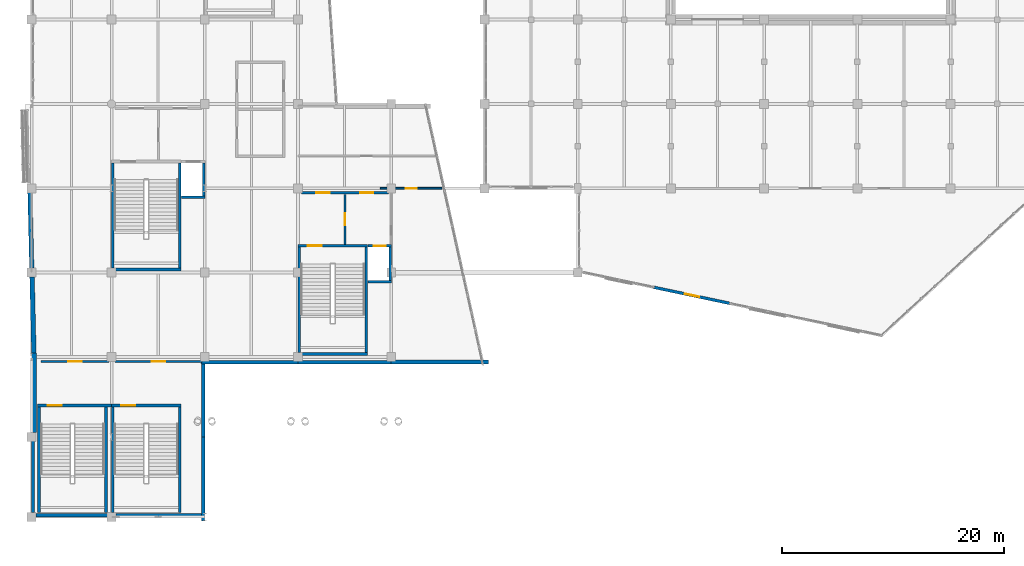
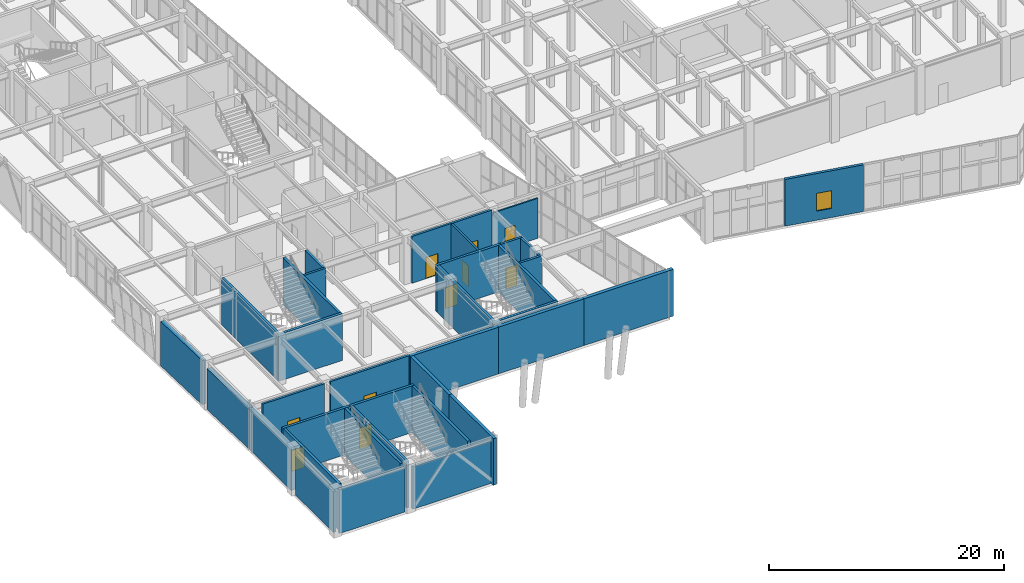
# One storey, part 110 of 128: 35 walls, 10 doors, 1 window, 11 openings.
"""IFC4 building model written with IfcOpenShell, lengths in metres."""

from ifc_helpers import new_model, si_unit, direction, frame, frame_2d, origin, place, context, subcontext, project, spatial, rectangle, extrude, material, layer, layer_set, type_object, element, fill, save


model = new_model("IFC4")

# Units and contexts
model_context = context("Model", 3, precision=1e-05, world=origin(), true_north=direction((0.0, 1.0)))
body_context = subcontext(model_context, "Body", "Model", "MODEL_VIEW")
ifc_project = project(units=[si_unit("LENGTHUNIT", "METRE"), si_unit("AREAUNIT", "SQUARE_METRE"), si_unit("VOLUMEUNIT", "CUBIC_METRE"), si_unit("PLANEANGLEUNIT", "RADIAN"), si_unit("MASSUNIT", "GRAM", prefix="KILO")], contexts=[model_context])

# Site, building, storey
site_placement = place(None, origin())
site = spatial("IfcSite", under=ifc_project, at=site_placement, CompositionType="ELEMENT")
building_placement = place(site_placement, origin())
building = spatial("IfcBuilding", under=site, at=building_placement, Name="Xicomal Pleat Aquarium", CompositionType="ELEMENT")
storey_placement = place(building_placement, frame((0.0, 0.0, 5.39990234375)))
storey = spatial("IfcBuildingStorey", under=building, at=storey_placement, Name="L02", CompositionType="ELEMENT", Elevation=5.39990234375)

# Walls
ifc_material_1 = material(Name="Concrete C40/50", Category="concrete")
ifc_layer_1 = layer(ifc_material_1, 0.219970703125)
ifc_layer_set_1 = layer_set([ifc_layer_1], Name="Concrete C40/50")
wall_type_1 = type_object("IfcWallType", Name="WAL-COR-220", PredefinedType="SHEAR", material=ifc_layer_set_1)
wall_1_placement = place(storey_placement, frame((16.5, 29.590087890625, 0.0), z_axis=(0.0, 0.0, 1.0), x_axis=(1.0, 0.0, 0.0)))
element("IfcWall", 1, at=wall_1_placement, inside=storey, type_object=wall_type_1, Name="L02 LF-01 lift shaft wall CW-L02-C1-LS", PredefinedType="SHEAR", context=body_context, shape_type="SweptSolid", body=[
    extrude(rectangle(XDim=2.1201171875, YDim=0.219970703125, at=frame_2d((1.06005859375, 0.0))), origin(), (0.0, 0.0, 1.0), 4.860107421875),
])
wall_2_placement = place(storey_placement, frame((18.510009765625, 29.699951171875, 0.0), z_axis=(0.0, 0.0, 1.0), x_axis=(0.0, 1.0, 0.0)))
element("IfcWall", 2, at=wall_2_placement, inside=storey, type_object=wall_type_1, Name="L02 LF-01 lift shaft wall CW-L02-C1-LE", PredefinedType="SHEAR", context=body_context, shape_type="SweptSolid", body=[
    extrude(rectangle(XDim=3.0, YDim=0.219970703125, at=frame_2d((1.5, 0.0))), origin(), (0.0, 0.0, 1.0), 4.860107421875),
])
wall_3_placement = place(storey_placement, frame((33.300048828125, 21.989990234375, 0.0), z_axis=(0.0, 0.0, 1.0), x_axis=(1.0, 0.0, 0.0)))
element("IfcWall", 3, at=wall_3_placement, inside=storey, type_object=wall_type_1, Name="L02 LF-02 lift shaft wall CW-L02-C2-LS", PredefinedType="SHEAR", context=body_context, shape_type="SweptSolid", body=[
    extrude(rectangle(XDim=2.119873046875, YDim=0.219970703125, at=frame_2d((1.06005859375, 0.0))), origin(), (0.0, 0.0, 1.0), 4.860107421875),
])

# Wall, opening, door
wall_4_placement = place(storey_placement, frame((33.300048828125, 25.2099609375, 0.0), z_axis=(0.0, 0.0, 1.0), x_axis=(1.0, 0.0, 0.0)))
wall_4 = element("IfcWall", 4, at=wall_4_placement, inside=storey, type_object=wall_type_1, Name="L02 LF-02 lift shaft wall CW-L02-C2-LN", PredefinedType="SHEAR", context=body_context, shape_type="SweptSolid", body=[
    extrude(rectangle(XDim=2.119873046875, YDim=0.219970703125, at=frame_2d((1.06005859375, 0.0))), origin(), (0.0, 0.0, 1.0), 4.860107421875),
])
opening_1_placement = place(wall_4_placement, frame((0.510009765625, 0.0, 0.0)))
opening_1 = element("IfcOpeningElement", 5, at=opening_1_placement, cuts=wall_4, Name="Opening LD-02-L02", PredefinedType="OPENING", context=body_context, shape_type="SweptSolid", body=[
    extrude(rectangle(XDim=1.10009765625, YDim=2.14990234375, at=frame_2d((0.550048828125, 1.074951171875))), frame((0.0, 0.119873046875, 0.0), z_axis=(0.0, -1.0, 0.0), x_axis=(1.0, 0.0, 0.0)), (0.0, 0.0, 1.0), 0.239990234375),
])
ifc_material_2 = material(Name="Brushed stainless steel 304", Category="steel")
door_type_1 = type_object("IfcDoorType", Name="DOR-LD-1100x2150", OperationType="DOUBLE_DOOR_SLIDING", PredefinedType="DOOR", material=ifc_material_2)
door_1_placement = place(opening_1_placement, origin())
door_1 = element("IfcDoor", 6, at=door_1_placement, inside=storey, type_object=door_type_1, Name="L02 LF-02 sliding lift landing door", OperationType="DOUBLE_DOOR_SLIDING", OverallHeight=2.14990234375, OverallWidth=1.10009765625, PredefinedType="DOOR", context=body_context, shape_type="SweptSolid", body=[
    extrude(rectangle(XDim=1.10009765625, YDim=2.14990234375, at=frame_2d((0.550048828125, 1.074951171875))), frame((0.0, 0.02490234375, 0.0), z_axis=(0.0, -1.0, 0.0), x_axis=(1.0, 0.0, 0.0)), (0.0, 0.0, 1.0), 0.050048828125),
])
fill(opening_1, door_1)

# Walls
wall_5_placement = place(storey_placement, frame((35.31005859375, 22.10009765625, 0.0), z_axis=(0.0, 0.0, 1.0), x_axis=(0.0, 1.0, 0.0)))
element("IfcWall", 7, at=wall_5_placement, inside=storey, type_object=wall_type_1, Name="L02 LF-02 lift shaft wall CW-L02-C2-LE", PredefinedType="SHEAR", context=body_context, shape_type="SweptSolid", body=[
    extrude(rectangle(XDim=3.0, YDim=0.219970703125, at=frame_2d((1.5, 0.0))), origin(), (0.0, 0.0, 1.0), 4.860107421875),
])
ifc_material_3 = material(Name="Concrete C40/50", Category="concrete")
ifc_layer_2 = layer(ifc_material_3, 0.25)
ifc_layer_set_2 = layer_set([ifc_layer_2], Name="Concrete C40/50")
wall_type_2 = type_object("IfcWallType", Name="WAL-COR-250", PredefinedType="SHEAR", material=ifc_layer_set_2)
wall_6_placement = place(storey_placement, frame((10.18994140625, 23.074951171875, 0.0), z_axis=(0.0, 0.0, 1.0), x_axis=(1.0, 0.0, 0.0)))
element("IfcWall", 8, at=wall_6_placement, inside=storey, type_object=wall_type_2, Name="L02 CORE-1 stair shear wall CW-L02-C1-SS", PredefinedType="SHEAR", context=body_context, shape_type="SweptSolid", body=[
    extrude(rectangle(XDim=6.280029296875, YDim=0.25, at=frame_2d((3.14013671875, 0.0))), origin(), (0.0, 0.0, 1.0), 4.860107421875),
])
for number, where, z_axis, x_axis, name in (
    (9, (10.31494140625, 23.199951171875, 0.0), (0.0, 0.0, 1.0), (0.0, 1.0, 0.0), "L02 CORE-1 stair shear wall CW-L02-C1-SW"),
    (10, (16.344970703125, 23.199951171875, 0.0), (0.0, 0.0, 1.0), (0.0, 1.0, 0.0), "L02 CORE-1 stair shear wall CW-L02-C1-SE"),
):
    element("IfcWall", number, at=place(storey_placement, frame(where, z_axis=z_axis, x_axis=x_axis)), inside=storey, type_object=wall_type_2, Name=name, PredefinedType="SHEAR", context=body_context, shape_type="SweptSolid", body=[
        extrude(rectangle(XDim=9.5, YDim=0.25, at=frame_2d((4.75, 0.0))), origin(), (0.0, 0.0, 1.0), 4.860107421875),
    ])
wall_7_placement = place(storey_placement, frame((26.989990234375, 15.47509765625, 0.0), z_axis=(0.0, 0.0, 1.0), x_axis=(1.0, 0.0, 0.0)))
element("IfcWall", 11, at=wall_7_placement, inside=storey, type_object=wall_type_2, Name="L02 CORE-2 stair shear wall CW-L02-C2-SS", PredefinedType="SHEAR", context=body_context, shape_type="SweptSolid", body=[
    extrude(rectangle(XDim=6.280029296875, YDim=0.25, at=frame_2d((3.14013671875, 0.0))), origin(), (0.0, 0.0, 1.0), 4.860107421875),
])

# Wall, opening, door
wall_8_placement = place(storey_placement, frame((26.989990234375, 25.22509765625, 0.0), z_axis=(0.0, 0.0, 1.0), x_axis=(1.0, 0.0, 0.0)))
wall_8 = element("IfcWall", 12, at=wall_8_placement, inside=storey, type_object=wall_type_2, Name="L02 CORE-2 stair shear wall CW-L02-C2-SN", PredefinedType="SHEAR", context=body_context, shape_type="SweptSolid", body=[
    extrude(rectangle(XDim=6.280029296875, YDim=0.25, at=frame_2d((3.14013671875, 0.0))), origin(), (0.0, 0.0, 1.0), 4.860107421875),
])
opening_2_placement = place(wall_8_placement, frame((0.89990234375, 0.0, 0.0)))
opening_2 = element("IfcOpeningElement", 13, at=opening_2_placement, cuts=wall_8, Name="Opening SD-02-L02", PredefinedType="OPENING", context=body_context, shape_type="SweptSolid", body=[
    extrude(rectangle(XDim=1.25, YDim=2.199951171875, at=frame_2d((0.625, 1.10009765625))), frame((0.0, 0.135009765625, 0.0), z_axis=(0.0, -1.0, 0.0), x_axis=(1.0, 0.0, 0.0)), (0.0, 0.0, 1.0), 0.27001953125),
])
ifc_material_4 = material(Name="Powder-coated steel fire door", Category="steel")
door_type_2 = type_object("IfcDoorType", Name="DOR-ST-1250x2200", OperationType="NOTDEFINED", PredefinedType="DOOR", material=ifc_material_4)
door_2_placement = place(opening_2_placement, origin())
door_2 = element("IfcDoor", 14, at=door_2_placement, inside=storey, type_object=door_type_2, Name="L02 ST-02 protected stair door", OperationType="SINGLE_SWING_LEFT", OverallHeight=2.199951171875, OverallWidth=1.25, PredefinedType="DOOR", context=body_context, shape_type="SweptSolid", body=[
    extrude(rectangle(XDim=1.25, YDim=2.199951171875, at=frame_2d((0.625, 1.10009765625))), frame((0.0, 0.02490234375, 0.0), z_axis=(0.0, -1.0, 0.0), x_axis=(1.0, 0.0, 0.0)), (0.0, 0.0, 1.0), 0.050048828125),
])
fill(opening_2, door_2)

# Walls
for number, where, z_axis, x_axis, name in (
    (15, (27.114990234375, 15.60009765625, 0.0), (0.0, 0.0, 1.0), (0.0, 1.0, 0.0), "L02 CORE-2 stair shear wall CW-L02-C2-SW"),
    (16, (33.14501953125, 15.60009765625, 0.0), (0.0, 0.0, 1.0), (0.0, 1.0, 0.0), "L02 CORE-2 stair shear wall CW-L02-C2-SE"),
):
    element("IfcWall", number, at=place(storey_placement, frame(where, z_axis=z_axis, x_axis=x_axis)), inside=storey, type_object=wall_type_2, Name=name, PredefinedType="SHEAR", context=body_context, shape_type="SweptSolid", body=[
        extrude(rectangle(XDim=9.5, YDim=0.25, at=frame_2d((4.75, 0.0))), origin(), (0.0, 0.0, 1.0), 4.860107421875),
    ])

# Wall, opening, door
wall_9_placement = place(storey_placement, frame((10.18994140625, 10.824951171875, 0.0), z_axis=(0.0, 0.0, 1.0), x_axis=(1.0, 0.0, 0.0)))
wall_9 = element("IfcWall", 17, at=wall_9_placement, inside=storey, type_object=wall_type_2, Name="L02 CORE-9 stair shear wall CW-L02-C9-SN", PredefinedType="SHEAR", context=body_context, shape_type="SweptSolid", body=[
    extrude(rectangle(XDim=6.280029296875, YDim=0.25, at=frame_2d((3.14013671875, 0.0))), origin(), (0.0, 0.0, 1.0), 4.860107421875),
])
opening_3_placement = place(wall_9_placement, frame((0.89990234375, 0.0, 0.0)))
opening_3 = element("IfcOpeningElement", 18, at=opening_3_placement, cuts=wall_9, Name="Opening SD-09-L02", PredefinedType="OPENING", context=body_context, shape_type="SweptSolid", body=[
    extrude(rectangle(XDim=1.25, YDim=2.199951171875, at=frame_2d((0.625, 1.10009765625))), frame((0.0, 0.135009765625, 0.0), z_axis=(0.0, -1.0, 0.0), x_axis=(1.0, 0.0, 0.0)), (0.0, 0.0, 1.0), 0.27001953125),
])
door_3_placement = place(opening_3_placement, origin())
door_3 = element("IfcDoor", 19, at=door_3_placement, inside=storey, type_object=door_type_2, Name="L02 ST-09 protected stair door", OperationType="SINGLE_SWING_LEFT", OverallHeight=2.199951171875, OverallWidth=1.25, PredefinedType="DOOR", context=body_context, shape_type="SweptSolid", body=[
    extrude(rectangle(XDim=1.25, YDim=2.199951171875, at=frame_2d((0.625, 1.10009765625))), frame((0.0, 0.02490234375, 0.0), z_axis=(0.0, -1.0, 0.0), x_axis=(1.0, 0.0, 0.0)), (0.0, 0.0, 1.0), 0.050048828125),
])
fill(opening_3, door_3)

# Walls
for number, where, z_axis, x_axis, name in (
    (20, (10.31494140625, 1.199951171875, 0.0), (0.0, 0.0, 1.0), (0.0, 1.0, 0.0), "L02 CORE-9 stair shear wall CW-L02-C9-SW"),
    (21, (16.344970703125, 1.199951171875, 0.0), (0.0, 0.0, 1.0), (0.0, 1.0, 0.0), "L02 CORE-9 stair shear wall CW-L02-C9-SE"),
):
    element("IfcWall", number, at=place(storey_placement, frame(where, z_axis=z_axis, x_axis=x_axis)), inside=storey, type_object=wall_type_2, Name=name, PredefinedType="SHEAR", context=body_context, shape_type="SweptSolid", body=[
        extrude(rectangle(XDim=9.5, YDim=0.25, at=frame_2d((4.75, 0.0))), origin(), (0.0, 0.0, 1.0), 4.860107421875),
    ])

# Wall, opening, door
wall_10_placement = place(storey_placement, frame((3.550048828125, 10.824951171875, 0.0), z_axis=(0.0, 0.0, 1.0), x_axis=(1.0, 0.0, 0.0)))
wall_10 = element("IfcWall", 22, at=wall_10_placement, inside=storey, type_object=wall_type_2, Name="L02 CORE-10 stair shear wall CW-L02-C10-SN", PredefinedType="SHEAR", context=body_context, shape_type="SweptSolid", body=[
    extrude(rectangle(XDim=6.639892578125, YDim=0.25, at=frame_2d((3.31982421875, 0.0))), origin(), (0.0, 0.0, 1.0), 4.860107421875),
])
opening_4_placement = place(wall_10_placement, frame((0.89990234375, 0.0, 0.0)))
opening_4 = element("IfcOpeningElement", 23, at=opening_4_placement, cuts=wall_10, Name="Opening SD-10-L02", PredefinedType="OPENING", context=body_context, shape_type="SweptSolid", body=[
    extrude(rectangle(XDim=1.25, YDim=2.199951171875, at=frame_2d((0.625, 1.10009765625))), frame((0.0, 0.135009765625, 0.0), z_axis=(0.0, -1.0, 0.0), x_axis=(1.0, 0.0, 0.0)), (0.0, 0.0, 1.0), 0.27001953125),
])
door_4_placement = place(opening_4_placement, origin())
door_4 = element("IfcDoor", 24, at=door_4_placement, inside=storey, type_object=door_type_2, Name="L02 ST-10 protected stair door", OperationType="SINGLE_SWING_LEFT", OverallHeight=2.199951171875, OverallWidth=1.25, PredefinedType="DOOR", context=body_context, shape_type="SweptSolid", body=[
    extrude(rectangle(XDim=1.25, YDim=2.199951171875, at=frame_2d((0.625, 1.10009765625))), frame((0.0, 0.02490234375, 0.0), z_axis=(0.0, -1.0, 0.0), x_axis=(1.0, 0.0, 0.0)), (0.0, 0.0, 1.0), 0.050048828125),
])
fill(opening_4, door_4)

# Walls
for number, where, z_axis, x_axis, name in (
    (25, (3.675048828125, 1.199951171875, 0.0), (0.0, 0.0, 1.0), (0.0, 1.0, 0.0), "L02 CORE-10 stair shear wall CW-L02-C10-SW"),
    (26, (9.705078125, 1.199951171875, 0.0), (0.0, 0.0, 1.0), (0.0, 1.0, 0.0), "L02 CORE-10 stair shear wall CW-L02-C10-SE"),
):
    element("IfcWall", number, at=place(storey_placement, frame(where, z_axis=z_axis, x_axis=x_axis)), inside=storey, type_object=wall_type_2, Name=name, PredefinedType="SHEAR", context=body_context, shape_type="SweptSolid", body=[
        extrude(rectangle(XDim=9.5, YDim=0.25, at=frame_2d((4.75, 0.0))), origin(), (0.0, 0.0, 1.0), 4.860107421875),
    ])
ifc_material_5 = material(Name="Volcanic basalt recinto masonry and concrete C40/50", Category="masonry")
ifc_layer_3 = layer(ifc_material_5, 0.35009765625)
ifc_layer_set_3 = layer_set([ifc_layer_3], Name="Volcanic basalt recinto masonry and concrete C40/50")
wall_type_3 = type_object("IfcWallType", Name="WAL-EXT-BAS-350", PredefinedType="SOLIDWALL", material=ifc_layer_set_3)
wall_11_placement = place(storey_placement, frame((44.159912109375, 14.735107421875, 0.0), z_axis=(0.0, 0.0, 1.0), x_axis=(-1.0, 0.0, 0.0)))
element("IfcWall", 27, at=wall_11_placement, inside=storey, type_object=wall_type_3, Name="L02 exterior basalt-precast wall EW-L02-094", PredefinedType="SOLIDWALL", context=body_context, shape_type="SweptSolid", body=[
    extrude(rectangle(XDim=8.780029296875, YDim=0.35009765625, at=frame_2d((4.39013671875, 0.0))), origin(), (0.0, 0.0, 1.0), 4.860107421875),
])
ifc_material_6 = material(Name="Volcanic basalt recinto masonry and concrete C40/50", Category="masonry")
ifc_layer_4 = layer(ifc_material_6, 0.39990234375)
ifc_layer_set_4 = layer_set([ifc_layer_4], Name="Volcanic basalt recinto masonry and concrete C40/50")
wall_type_4 = type_object("IfcWallType", Name="WAL-EXT-BAS-400", PredefinedType="SOLIDWALL", material=ifc_layer_set_4)
wall_12_placement = place(storey_placement, frame((3.010986328125, 23.198974609375, 0.0), z_axis=(0.0, 0.0, 1.0), x_axis=(-0.023758436232, 0.999717728515, 0.0)))
element("IfcWall", 28, at=wall_12_placement, inside=storey, type_object=wall_type_4, Name="L02 exterior basalt-precast wall EW-L02-104", PredefinedType="SOLIDWALL", context=body_context, shape_type="SweptSolid", body=[
    extrude(rectangle(XDim=6.81298828125, YDim=0.39990234375, at=frame_2d((3.406494140625, 0.0))), origin(), (0.0, 0.0, 1.0), 4.60498046875),
])
ifc_material_7 = material(Name="Volcanic basalt recinto masonry and concrete C40/50", Category="masonry")
ifc_layer_5 = layer(ifc_material_7, 0.419921875)
ifc_layer_set_5 = layer_set([ifc_layer_5], Name="Volcanic basalt recinto masonry and concrete C40/50")
wall_type_5 = type_object("IfcWallType", Name="WAL-EXT-BAS-420", PredefinedType="SOLIDWALL", material=ifc_layer_set_5)
wall_13_placement = place(storey_placement, frame((3.200927734375, 15.56005859375, 0.0), z_axis=(0.0, 0.0, 1.0), x_axis=(-0.023620506075, 0.999720996925, 0.0)))
element("IfcWall", 29, at=wall_13_placement, inside=storey, type_object=wall_type_5, Name="L02 exterior basalt-precast wall EW-L02-103", PredefinedType="SOLIDWALL", context=body_context, shape_type="SweptSolid", body=[
    extrude(rectangle(XDim=6.852783203125, YDim=0.419921875, at=frame_2d((3.42626953125, 0.0))), origin(), (0.0, 0.0, 1.0), 4.238037109375),
])
ifc_material_8 = material(Name="Volcanic basalt recinto masonry and concrete C40/50", Category="masonry")
ifc_layer_6 = layer(ifc_material_8, 0.445068359375)
ifc_layer_set_6 = layer_set([ifc_layer_6], Name="Volcanic basalt recinto masonry and concrete C40/50")
wall_type_6 = type_object("IfcWallType", Name="WAL-EXT-BAS-445", PredefinedType="SOLIDWALL", material=ifc_layer_set_6)
wall_14_placement = place(storey_placement, frame((3.222900390625, 8.385009765625, 0.0), z_axis=(0.0, 0.0, 1.0), x_axis=(0.0, 1.0, 0.0)))
element("IfcWall", 30, at=wall_14_placement, inside=storey, type_object=wall_type_6, Name="L02 exterior basalt-precast wall EW-L02-102", PredefinedType="SOLIDWALL", context=body_context, shape_type="SweptSolid", body=[
    extrude(rectangle(XDim=7.175048828125, YDim=0.445068359375, at=frame_2d((3.58740234375, 0.0))), origin(), (0.0, 0.0, 1.0), 4.238037109375),
])

# Wall, opening, window
ifc_material_9 = material(Name="Precast concrete C40/50", Category="concrete")
ifc_layer_7 = layer(ifc_material_9, 0.260009765625)
ifc_layer_set_7 = layer_set([ifc_layer_7], Name="Precast concrete C40/50")
wall_type_7 = type_object("IfcWallType", Name="WAL-EXT-PRC-260", PredefinedType="SOLIDWALL", material=ifc_layer_set_7)
wall_15_placement = place(storey_placement, frame((65.946044921875, 20.02294921875, 0.0), z_axis=(0.0, 0.0, 1.0), x_axis=(-0.9783299887, 0.207051764566, 0.0)))
wall_15 = element("IfcWall", 31, at=wall_15_placement, inside=storey, type_object=wall_type_7, Name="L02 exterior basalt-precast wall EW-L02-036", PredefinedType="SOLIDWALL", context=body_context, shape_type="SweptSolid", body=[
    extrude(rectangle(XDim=7.041748046875, YDim=0.260009765625, at=frame_2d((3.52099609375, 0.0))), origin(), (0.0, 0.0, 1.0), 4.860107421875),
])
opening_5_placement = place(wall_15_placement, frame((2.845947265625, 0.0, 0.949951171875)))
opening_5 = element("IfcOpeningElement", 32, at=opening_5_placement, cuts=wall_15, Name="Opening WN-09", PredefinedType="OPENING", context=body_context, shape_type="SweptSolid", body=[
    extrude(rectangle(XDim=1.35009765625, YDim=1.85009765625, at=frame_2d((0.675048828125, 0.925048828125))), frame((0.0, 0.139892578125, 0.0), z_axis=(0.0, -1.0, 0.0), x_axis=(1.0, 0.0, 0.0)), (0.0, 0.0, 1.0), 0.280029296875),
])
ifc_material_10 = material(Name="Insulated low-E laminated glass", Category="glass")
window_type = type_object("IfcWindowType", Name="WIN-EXT-1350x1850", PartitioningType="SINGLE_PANEL", PredefinedType="WINDOW", material=ifc_material_10)
window_placement = place(opening_5_placement, origin())
window = element("IfcWindow", 33, at=window_placement, inside=storey, type_object=window_type, Name="L02 thermally broken low-E window 9", OverallHeight=1.85009765625, OverallWidth=1.35009765625, PartitioningType="SINGLE_PANEL", PredefinedType="WINDOW", context=body_context, shape_type="SweptSolid", body=[
    extrude(rectangle(XDim=1.35009765625, YDim=1.85009765625, at=frame_2d((0.675048828125, 0.925048828125))), frame((0.0, 0.030029296875, 0.0), z_axis=(0.0, -1.0, 0.0), x_axis=(1.0, 0.0, 0.0)), (0.0, 0.0, 1.0), 0.06005859375),
])
fill(opening_5, window)

# Walls
wall_16_placement = place(storey_placement, frame((3.1298828125, 1.18505859375, 0.0), z_axis=(0.0, 0.0, 1.0), x_axis=(0.0, 1.0, 0.0)))
element("IfcWall", 34, at=wall_16_placement, inside=storey, type_object=wall_type_7, Name="L02 exterior basalt-precast wall EW-L02-101", PredefinedType="SOLIDWALL", context=body_context, shape_type="SweptSolid", body=[
    extrude(rectangle(XDim=6.429931640625, YDim=0.260009765625, at=frame_2d((3.21484375, 0.0))), origin(), (0.0, 0.0, 1.0), 4.238037109375),
])
ifc_material_11 = material(Name="Precast concrete C40/50", Category="concrete")
ifc_layer_8 = layer(ifc_material_11, 0.280029296875)
ifc_layer_set_8 = layer_set([ifc_layer_8], Name="Precast concrete C40/50")
wall_type_8 = type_object("IfcWallType", Name="WAL-EXT-PRC-280", PredefinedType="SOLIDWALL", material=ifc_layer_set_8)
wall_17_placement = place(storey_placement, frame((9.81494140625, 0.93994140625, 0.0), z_axis=(0.0, 0.0, 1.0), x_axis=(-1.0, 0.0, 0.0)))
element("IfcWall", 35, at=wall_17_placement, inside=storey, type_object=wall_type_8, Name="L02 exterior basalt-precast wall EW-L02-100", PredefinedType="SOLIDWALL", context=body_context, shape_type="SweptSolid", body=[
    extrude(rectangle(XDim=6.429931640625, YDim=0.280029296875, at=frame_2d((3.21484375, 0.0))), origin(), (0.0, 0.0, 1.0), 4.55517578125),
])
ifc_material_12 = material(Name="Precast concrete C40/50", Category="concrete")
ifc_layer_9 = layer(ifc_material_12, 0.2900390625)
ifc_layer_set_9 = layer_set([ifc_layer_9], Name="Precast concrete C40/50")
wall_type_9 = type_object("IfcWallType", Name="WAL-EXT-PRC-290", PredefinedType="SOLIDWALL", material=ifc_layer_set_9)
wall_18_placement = place(storey_placement, frame((18.294921875, 0.945068359375, 0.0), z_axis=(0.0, 0.0, 1.0), x_axis=(-1.0, 0.0, 0.0)))
element("IfcWall", 36, at=wall_18_placement, inside=storey, type_object=wall_type_9, Name="L02 exterior basalt-precast wall EW-L02-099B", PredefinedType="SOLIDWALL", context=body_context, shape_type="SweptSolid", body=[
    extrude(rectangle(XDim=7.7099609375, YDim=0.2900390625, at=frame_2d((3.85498046875, 0.0))), origin(), (0.0, 0.0, 1.0), 4.385986328125),
])
ifc_material_13 = material(Name="Precast concrete C40/50", Category="concrete")
ifc_layer_10 = layer(ifc_material_13, 0.300048828125)
ifc_layer_set_10 = layer_set([ifc_layer_10], Name="Precast concrete C40/50")
wall_type_10 = type_object("IfcWallType", Name="WAL-EXT-PRC-300", PredefinedType="SOLIDWALL", material=ifc_layer_set_10)
wall_19_placement = place(storey_placement, frame((18.449951171875, 7.97998046875, 0.0), z_axis=(0.0, 0.0, 1.0), x_axis=(0.0, -1.0, 0.0)))
element("IfcWall", 37, at=wall_19_placement, inside=storey, type_object=wall_type_10, Name="L02 exterior basalt-precast wall EW-L02-098", PredefinedType="SOLIDWALL", context=body_context, shape_type="SweptSolid", body=[
    extrude(rectangle(XDim=7.5400390625, YDim=0.300048828125, at=frame_2d((3.77001953125, 0.0))), origin(), (0.0, 0.0, 1.0), 4.860107421875),
])
ifc_material_14 = material(Name="Precast concrete C40/50", Category="concrete")
ifc_layer_11 = layer(ifc_material_14, 0.31201171875)
ifc_layer_set_11 = layer_set([ifc_layer_11], Name="Precast concrete C40/50")
wall_type_11 = type_object("IfcWallType", Name="WAL-EXT-PRC-312", PredefinedType="SOLIDWALL", material=ifc_layer_set_11)
wall_20_placement = place(storey_placement, frame((18.444091796875, 14.555908203125, 0.0), z_axis=(0.0, 0.0, 1.0), x_axis=(0.0, -1.0, 0.0)))
element("IfcWall", 38, at=wall_20_placement, inside=storey, type_object=wall_type_11, Name="L02 exterior basalt-precast wall EW-L02-097B", PredefinedType="SOLIDWALL", context=body_context, shape_type="SweptSolid", body=[
    extrude(rectangle(XDim=6.575927734375, YDim=0.31201171875, at=frame_2d((3.2880859375, 0.0))), origin(), (0.0, 0.0, 1.0), 4.860107421875),
])
ifc_material_15 = material(Name="Precast concrete C40/50", Category="concrete")
ifc_layer_12 = layer(ifc_material_15, 0.324951171875)
ifc_layer_set_12 = layer_set([ifc_layer_12], Name="Precast concrete C40/50")
wall_type_12 = type_object("IfcWallType", Name="WAL-EXT-PRC-325", PredefinedType="SOLIDWALL", material=ifc_layer_set_12)
wall_21_placement = place(storey_placement, frame((26.97998046875, 14.722900390625, 0.0), z_axis=(0.0, 0.0, 1.0), x_axis=(-1.0, 0.0, 0.0)))
element("IfcWall", 39, at=wall_21_placement, inside=storey, type_object=wall_type_12, Name="L02 exterior basalt-precast wall EW-L02-096", PredefinedType="SOLIDWALL", context=body_context, shape_type="SweptSolid", body=[
    extrude(rectangle(XDim=8.739990234375, YDim=0.324951171875, at=frame_2d((4.3701171875, 0.0))), origin(), (0.0, 0.0, 1.0), 4.860107421875),
])
ifc_material_16 = material(Name="Precast concrete C40/50", Category="concrete")
ifc_layer_13 = layer(ifc_material_16, 0.340087890625)
ifc_layer_set_13 = layer_set([ifc_layer_13], Name="Precast concrete C40/50")
wall_type_13 = type_object("IfcWallType", Name="WAL-EXT-PRC-340", PredefinedType="SOLIDWALL", material=ifc_layer_set_13)
wall_22_placement = place(storey_placement, frame((35.3798828125, 14.72998046875, 0.0), z_axis=(0.0, 0.0, 1.0), x_axis=(-1.0, 0.0, 0.0)))
element("IfcWall", 40, at=wall_22_placement, inside=storey, type_object=wall_type_13, Name="L02 exterior basalt-precast wall EW-L02-095", PredefinedType="SOLIDWALL", context=body_context, shape_type="SweptSolid", body=[
    extrude(rectangle(XDim=8.39990234375, YDim=0.340087890625, at=frame_2d((4.199951171875, 0.0))), origin(), (0.0, 0.0, 1.0), 4.860107421875),
])

# Wall, opening, door
ifc_material_17 = material(Name="Water-resistant cement-board wet-lab partition", Category="gypsum")
ifc_layer_14 = layer(ifc_material_17, 0.14990234375)
ifc_layer_set_14 = layer_set([ifc_layer_14], Name="Water-resistant cement-board wet-lab partition")
wall_type_14 = type_object("IfcWallType", Name="WAL-PRT-150", PredefinedType="PARTITIONING", material=ifc_layer_set_14)
wall_23_placement = place(storey_placement, frame((34.423095703125, 30.39990234375, 0.0), z_axis=(0.0, 0.0, 1.0), x_axis=(1.0, 0.0, 0.0)))
wall_23 = element("IfcWall", 41, at=wall_23_placement, inside=storey, type_object=wall_type_14, Name="L02 interior partition PT-L02-043", PredefinedType="PARTITIONING", context=body_context, shape_type="SweptSolid", body=[
    extrude(rectangle(XDim=5.534912109375, YDim=0.14990234375, at=frame_2d((2.767578125, 0.0))), origin(), (0.0, 0.0, 1.0), 4.162109375),
])
opening_6_placement = place(wall_23_placement, frame((2.26806640625, 0.0, 0.0)))
opening_6 = element("IfcOpeningElement", 42, at=opening_6_placement, cuts=wall_23, Name="Opening DR-L02-021", PredefinedType="OPENING", context=body_context, shape_type="SweptSolid", body=[
    extrude(rectangle(XDim=1.0, YDim=2.14990234375, at=frame_2d((0.5, 1.074951171875))), frame((0.0, 0.0849609375, 0.0), z_axis=(0.0, -1.0, 0.0), x_axis=(1.0, 0.0, 0.0)), (0.0, 0.0, 1.0), 0.169921875),
])
ifc_material_18 = material(Name="Solid-core hardwood and anodized aluminium frame", Category="wood")
door_type_3 = type_object("IfcDoorType", Name="DOR-OFF-1000x2150", OperationType="NOTDEFINED", PredefinedType="DOOR", material=ifc_material_18)
door_5_placement = place(opening_6_placement, origin())
door_5 = element("IfcDoor", 43, at=door_5_placement, inside=storey, type_object=door_type_3, Name="L02 Marine Research Analytical Laboratory door DR-L02-021", OperationType="SINGLE_SWING_RIGHT", OverallHeight=2.14990234375, OverallWidth=1.0, PredefinedType="DOOR", context=body_context, shape_type="SweptSolid", body=[
    extrude(rectangle(XDim=1.0, YDim=2.14990234375, at=frame_2d((0.5, 1.074951171875))), frame((0.0, 0.02490234375, 0.0), z_axis=(0.0, -1.0, 0.0), x_axis=(1.0, 0.0, 0.0)), (0.0, 0.0, 1.0), 0.050048828125),
])
fill(opening_6, door_5)

ifc_material_19 = material(Name="Acoustic double-stud drywall partition", Category="gypsum")
ifc_layer_15 = layer(ifc_material_19, 0.195068359375)
ifc_layer_set_15 = layer_set([ifc_layer_15], Name="Acoustic double-stud drywall partition")
wall_type_15 = type_object("IfcWallType", Name="WAL-PRT-195", PredefinedType="PARTITIONING", material=ifc_layer_set_15)
wall_24_placement = place(storey_placement, frame((31.22509765625, 25.35009765625, 0.0), z_axis=(0.0, 0.0, 1.0), x_axis=(0.0, 1.0, 0.0)))
wall_24 = element("IfcWall", 44, at=wall_24_placement, inside=storey, type_object=wall_type_15, Name="L02 firefighting lobby smoke divider 2", PredefinedType="PARTITIONING", context=body_context, shape_type="SweptSolid", body=[
    extrude(rectangle(XDim=4.5, YDim=0.195068359375, at=frame_2d((2.25, 0.0))), origin(), (0.0, 0.0, 1.0), 4.860107421875),
])
opening_7_placement = place(wall_24_placement, frame((1.699951171875, 0.0, 0.0)))
opening_7 = element("IfcOpeningElement", 45, at=opening_7_placement, cuts=wall_24, Name="Opening FD-02C-L02", PredefinedType="OPENING", context=body_context, shape_type="SweptSolid", body=[
    extrude(rectangle(XDim=1.10009765625, YDim=2.14990234375, at=frame_2d((0.550048828125, 1.074951171875))), frame((0.0, 0.107421875, 0.0), z_axis=(0.0, -1.0, 0.0), x_axis=(1.0, 0.0, 0.0)), (0.0, 0.0, 1.0), 0.215087890625),
])
ifc_material_20 = material(Name="Powder-coated steel fire door", Category="steel")
door_type_4 = type_object("IfcDoorType", Name="DOR-LAB-1100x2150", OperationType="NOTDEFINED", PredefinedType="DOOR", material=ifc_material_20)
door_6_placement = place(opening_7_placement, origin())
door_6 = element("IfcDoor", 46, at=door_6_placement, inside=storey, type_object=door_type_4, Name="L02 lobby interconnecting fire door 2C", OperationType="SINGLE_SWING_LEFT", OverallHeight=2.14990234375, OverallWidth=1.10009765625, PredefinedType="DOOR", context=body_context, shape_type="SweptSolid", body=[
    extrude(rectangle(XDim=1.10009765625, YDim=2.14990234375, at=frame_2d((0.550048828125, 1.074951171875))), frame((0.0, 0.02490234375, 0.0), z_axis=(0.0, -1.0, 0.0), x_axis=(1.0, 0.0, 0.0)), (0.0, 0.0, 1.0), 0.050048828125),
])
fill(opening_7, door_6)

# Wall, openings, doors
ifc_material_21 = material(Name="Fire-rated gypsum and mineral-wool partition", Category="gypsum")
ifc_layer_16 = layer(ifc_material_21, 0.2099609375)
ifc_layer_set_16 = layer_set([ifc_layer_16], Name="Fire-rated gypsum and mineral-wool partition")
wall_type_16 = type_object("IfcWallType", Name="WAL-PRT-210", PredefinedType="PARTITIONING", material=ifc_layer_set_16)
wall_25_placement = place(storey_placement, frame((27.300048828125, 30.0, 0.0), z_axis=(0.0, 0.0, 1.0), x_axis=(1.0, 0.0, 0.0)))
wall_25 = element("IfcWall", 47, at=wall_25_placement, inside=storey, type_object=wall_type_16, Name="L02 CORE-2 lobby fire enclosure wall", PredefinedType="PARTITIONING", context=body_context, shape_type="SweptSolid", body=[
    extrude(rectangle(XDim=7.849853515625, YDim=0.2099609375, at=frame_2d((3.9248046875, 0.0))), origin(), (0.0, 0.0, 1.0), 4.860107421875),
])
opening_8_placement = place(wall_25_placement, frame((1.362060546875, 0.0, 0.0)))
opening_8 = element("IfcOpeningElement", 48, at=opening_8_placement, cuts=wall_25, Name="Opening FD-02A-L02", PredefinedType="OPENING", context=body_context, shape_type="SweptSolid", body=[
    extrude(rectangle(XDim=1.199951171875, YDim=2.199951171875, at=frame_2d((0.60009765625, 1.10009765625))), frame((0.0, 0.114990234375, 0.0), z_axis=(0.0, -1.0, 0.0), x_axis=(1.0, 0.0, 0.0)), (0.0, 0.0, 1.0), 0.22998046875),
])
opening_9_placement = place(wall_25_placement, frame((5.287109375, 0.0, 0.0)))
opening_9 = element("IfcOpeningElement", 49, at=opening_9_placement, cuts=wall_25, Name="Opening FD-02B-L02", PredefinedType="OPENING", context=body_context, shape_type="SweptSolid", body=[
    extrude(rectangle(XDim=1.199951171875, YDim=2.199951171875, at=frame_2d((0.60009765625, 1.10009765625))), frame((0.0, 0.114990234375, 0.0), z_axis=(0.0, -1.0, 0.0), x_axis=(1.0, 0.0, 0.0)), (0.0, 0.0, 1.0), 0.22998046875),
])
ifc_material_22 = material(Name="Powder-coated steel fire door", Category="steel")
door_type_5 = type_object("IfcDoorType", Name="DOR-FFL-1200x2200", OperationType="NOTDEFINED", PredefinedType="DOOR", material=ifc_material_22)
door_7_placement = place(opening_8_placement, origin())
door_7 = element("IfcDoor", 50, at=door_7_placement, inside=storey, type_object=door_type_5, Name="L02 firefighting lobby door 2A", OperationType="SINGLE_SWING_LEFT", OverallHeight=2.199951171875, OverallWidth=1.199951171875, PredefinedType="DOOR", context=body_context, shape_type="SweptSolid", body=[
    extrude(rectangle(XDim=1.199951171875, YDim=2.199951171875, at=frame_2d((0.60009765625, 1.10009765625))), frame((0.0, 0.02490234375, 0.0), z_axis=(0.0, -1.0, 0.0), x_axis=(1.0, 0.0, 0.0)), (0.0, 0.0, 1.0), 0.050048828125),
])
fill(opening_8, door_7)
door_8_placement = place(opening_9_placement, origin())
door_8 = element("IfcDoor", 51, at=door_8_placement, inside=storey, type_object=door_type_5, Name="L02 lift lobby door 2B", OperationType="SINGLE_SWING_RIGHT", OverallHeight=2.199951171875, OverallWidth=1.199951171875, PredefinedType="DOOR", context=body_context, shape_type="SweptSolid", body=[
    extrude(rectangle(XDim=1.199951171875, YDim=2.199951171875, at=frame_2d((0.60009765625, 1.10009765625))), frame((0.0, 0.02490234375, 0.0), z_axis=(0.0, -1.0, 0.0), x_axis=(1.0, 0.0, 0.0)), (0.0, 0.0, 1.0), 0.050048828125),
])
fill(opening_9, door_8)

# Wall, opening, door
wall_26_placement = place(storey_placement, frame((10.5, 14.800048828125, 0.0), z_axis=(0.0, 0.0, 1.0), x_axis=(1.0, 0.0, 0.0)))
wall_26 = element("IfcWall", 52, at=wall_26_placement, inside=storey, type_object=wall_type_16, Name="L02 CORE-9 lobby fire enclosure wall", PredefinedType="PARTITIONING", context=body_context, shape_type="SweptSolid", body=[
    extrude(rectangle(XDim=7.85009765625, YDim=0.2099609375, at=frame_2d((3.925048828125, 0.0))), origin(), (0.0, 0.0, 1.0), 4.860107421875),
])
opening_10_placement = place(wall_26_placement, frame((3.324951171875, 0.0, 0.0)))
opening_10 = element("IfcOpeningElement", 53, at=opening_10_placement, cuts=wall_26, Name="Opening FD-09A-L02", PredefinedType="OPENING", context=body_context, shape_type="SweptSolid", body=[
    extrude(rectangle(XDim=1.199951171875, YDim=2.199951171875, at=frame_2d((0.60009765625, 1.10009765625))), frame((0.0, 0.114990234375, 0.0), z_axis=(0.0, -1.0, 0.0), x_axis=(1.0, 0.0, 0.0)), (0.0, 0.0, 1.0), 0.22998046875),
])
door_9_placement = place(opening_10_placement, origin())
door_9 = element("IfcDoor", 54, at=door_9_placement, inside=storey, type_object=door_type_5, Name="L02 firefighting lobby door 9A", OperationType="SINGLE_SWING_LEFT", OverallHeight=2.199951171875, OverallWidth=1.199951171875, PredefinedType="DOOR", context=body_context, shape_type="SweptSolid", body=[
    extrude(rectangle(XDim=1.199951171875, YDim=2.199951171875, at=frame_2d((0.60009765625, 1.10009765625))), frame((0.0, 0.02490234375, 0.0), z_axis=(0.0, -1.0, 0.0), x_axis=(1.0, 0.0, 0.0)), (0.0, 0.0, 1.0), 0.050048828125),
])
fill(opening_10, door_9)

wall_27_placement = place(storey_placement, frame((3.860107421875, 14.800048828125, 0.0), z_axis=(0.0, 0.0, 1.0), x_axis=(1.0, 0.0, 0.0)))
wall_27 = element("IfcWall", 55, at=wall_27_placement, inside=storey, type_object=wall_type_16, Name="L02 CORE-10 lobby fire enclosure wall", PredefinedType="PARTITIONING", context=body_context, shape_type="SweptSolid", body=[
    extrude(rectangle(XDim=6.08984375, YDim=0.2099609375, at=frame_2d((3.044921875, 0.0))), origin(), (0.0, 0.0, 1.0), 4.860107421875),
])
opening_11_placement = place(wall_27_placement, frame((2.445068359375, 0.0, 0.0)))
opening_11 = element("IfcOpeningElement", 56, at=opening_11_placement, cuts=wall_27, Name="Opening FD-10A-L02", PredefinedType="OPENING", context=body_context, shape_type="SweptSolid", body=[
    extrude(rectangle(XDim=1.199951171875, YDim=2.199951171875, at=frame_2d((0.60009765625, 1.10009765625))), frame((0.0, 0.114990234375, 0.0), z_axis=(0.0, -1.0, 0.0), x_axis=(1.0, 0.0, 0.0)), (0.0, 0.0, 1.0), 0.22998046875),
])
door_10_placement = place(opening_11_placement, origin())
door_10 = element("IfcDoor", 57, at=door_10_placement, inside=storey, type_object=door_type_5, Name="L02 firefighting lobby door 10A", OperationType="SINGLE_SWING_LEFT", OverallHeight=2.199951171875, OverallWidth=1.199951171875, PredefinedType="DOOR", context=body_context, shape_type="SweptSolid", body=[
    extrude(rectangle(XDim=1.199951171875, YDim=2.199951171875, at=frame_2d((0.60009765625, 1.10009765625))), frame((0.0, 0.02490234375, 0.0), z_axis=(0.0, -1.0, 0.0), x_axis=(1.0, 0.0, 0.0)), (0.0, 0.0, 1.0), 0.050048828125),
])
fill(opening_11, door_10)

save(model, "model.ifc")
